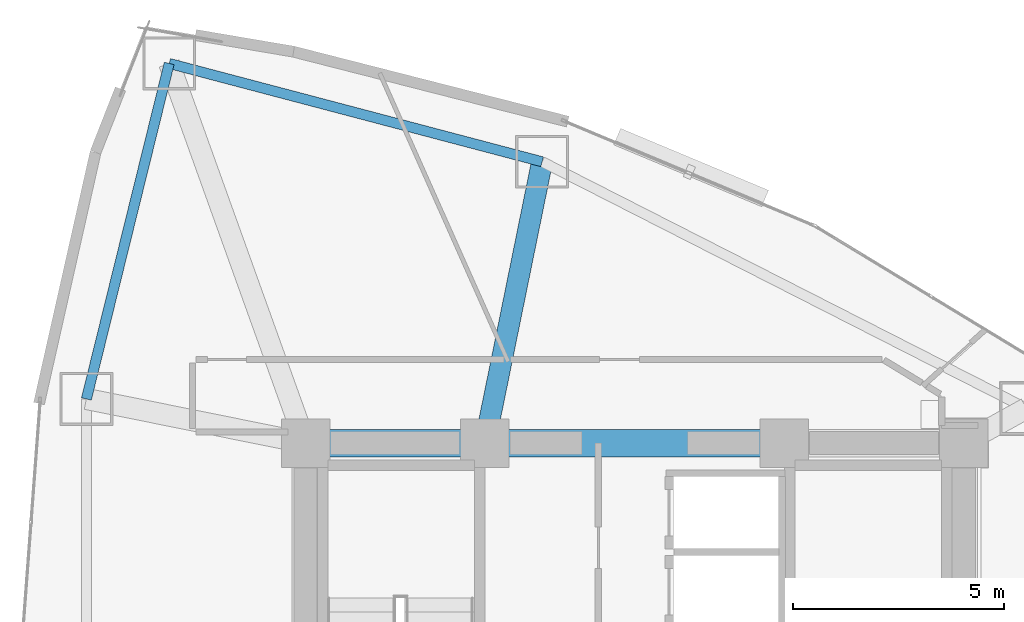
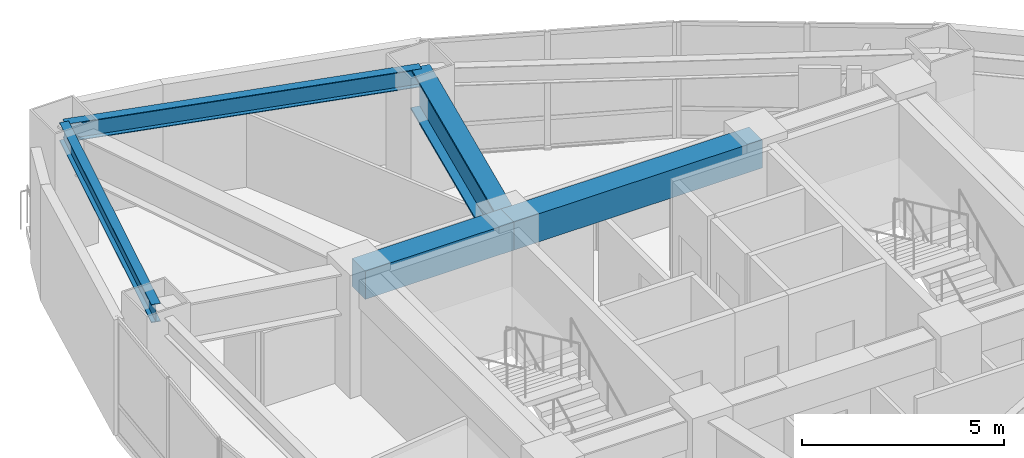
# One storey, part 8 of 17: 5 beams.
"""IFC4 building model written with IfcOpenShell, lengths in metres."""

import ifcopenshell
import ifcopenshell.guid

model = None  # the IFC model being written
_history = None  # IfcOwnerHistory: only IFC2X3 demands one
_inside = {}  # id of a spatial element -> (the spatial element, [elements in it])
_under = {}  # id of a project, library or spatial element -> (it, [spatial elements below it])
_declared = {}  # id of a project -> (the project, [libraries it declares])
_typed = {}  # id of a type object -> (the type object, [elements of that type])
_made_of = {}  # id of a material, layer set ... -> (it, [elements and type objects made of it])


def new_model(schema):
    """Start an empty IFC model of exactly this schema.

    Asked for "IFC4X3", IfcOpenShell would pick the latest addendum, in which some entities
    have other attributes; the version numbers below select the first issue.
    IFC2X3 requires an IfcOwnerHistory on every rooted entity: one is made here for all.
    """
    global model, _history
    if schema == "IFC4X3":
        model = ifcopenshell.file(schema_version=(4, 3, 0, 0))
    else:
        model = ifcopenshell.file(schema=schema)
    _inside.clear()
    _under.clear()
    _declared.clear()
    _typed.clear()
    _made_of.clear()
    _history = None
    if model.schema == "IFC2X3":
        org = make("IfcOrganization", Name="unknown")
        user = make(
            "IfcPersonAndOrganization",
            ThePerson=make("IfcPerson", FamilyName="unknown"),
            TheOrganization=org,
        )
        app = make(
            "IfcApplication",
            ApplicationDeveloper=org,
            Version="unknown",
            ApplicationFullName="unknown",
            ApplicationIdentifier="unknown",
        )
        _history = make(
            "IfcOwnerHistory",
            OwningUser=user,
            OwningApplication=app,
            ChangeAction="ADDED",
            CreationDate=0,
        )
    return model


def make(cls, **values):
    """One entity of the class cls with the attributes given. An attribute that is None is left unset."""
    return model.create_entity(
        cls, **{name: value for name, value in values.items() if value is not None}
    )


def rooted(cls, **values):
    """An entity with a GlobalId (a new one), such as an element, a storey or a relation."""
    return make(cls, GlobalId=ifcopenshell.guid.new(), OwnerHistory=_history, **values)


def si_unit(unit_type, name, prefix=None):
    """IfcSIUnit, for example si_unit("LENGTHUNIT", "METRE", prefix="MILLI")."""
    return make("IfcSIUnit", UnitType=unit_type, Prefix=prefix, Name=name)


def assignment(units):
    """IfcUnitAssignment: the units of a project."""
    return None if units is None else make("IfcUnitAssignment", Units=units)


def point(xyz):
    """IfcCartesianPoint."""
    return None if xyz is None else make("IfcCartesianPoint", Coordinates=xyz)


def direction(xyz):
    """IfcDirection."""
    return None if xyz is None else make("IfcDirection", DirectionRatios=xyz)


def frame(location, z_axis=None, x_axis=None):
    """IfcAxis2Placement3D, a coordinate frame: its origin and axes. An axis left out is left unset."""
    return make(
        "IfcAxis2Placement3D",
        Location=point(location),
        Axis=direction(z_axis),
        RefDirection=direction(x_axis),
    )


def frame_2d(location, x_axis=None):
    """IfcAxis2Placement2D, a coordinate frame in the plane: its origin and x axis."""
    return make(
        "IfcAxis2Placement2D", Location=point(location), RefDirection=direction(x_axis)
    )


def origin():
    """The frame at (0, 0, 0) with its axes left unset."""
    return frame((0.0, 0.0, 0.0))


def origin_2d():
    """The frame at (0, 0) in the plane with its x axis left unset."""
    return frame_2d((0.0, 0.0))


def place(relative_to, where):
    """IfcLocalPlacement: puts the frame where relative to a parent placement (None: the world)."""
    return make(
        "IfcLocalPlacement", PlacementRelTo=relative_to, RelativePlacement=where
    )


def context(
    kind, dimensions, precision=None, world=None, true_north=None, identifier=None
):
    """IfcGeometricRepresentationContext, for example the 3D "Model" context."""
    return make(
        "IfcGeometricRepresentationContext",
        ContextIdentifier=identifier,
        ContextType=kind,
        CoordinateSpaceDimension=dimensions,
        Precision=precision,
        WorldCoordinateSystem=world,
        TrueNorth=true_north,
    )


def subcontext(parent, identifier, kind, view, scale=None):
    """IfcGeometricRepresentationSubContext, for example "Body" below "Model"."""
    return make(
        "IfcGeometricRepresentationSubContext",
        ContextIdentifier=identifier,
        ContextType=kind,
        ParentContext=parent,
        TargetScale=scale,
        TargetView=view,
    )


def project(units=None, contexts=None):
    """IfcProject with its units and contexts."""
    return rooted(
        "IfcProject",
        Name="project",
        RepresentationContexts=contexts,
        UnitsInContext=assignment(units),
    )


def spatial(cls, under=None, at=None, **own):
    """A site, building, storey or space (cls), placed at a placement, below another one or the project."""
    s = rooted(cls, ObjectPlacement=at, **own)
    if under is not None:
        _under.setdefault(under.id(), (under, []))[1].append(s)
    return s


def profile(cls, at=None, kind="AREA", **sizes):
    """A parametric profile (cls). Its sizes go by their IFC names, for example OverallWidth=200.0."""
    return make(cls, ProfileType=kind, Position=at, **sizes)


def rectangle(**sizes):
    """IfcRectangleProfileDef."""
    return profile("IfcRectangleProfileDef", **sizes)


def i_section(**sizes):
    """IfcIShapeProfileDef."""
    return profile("IfcIShapeProfileDef", **sizes)


def extrude(swept, where, along, depth):
    """IfcExtrudedAreaSolid: the profile swept, set in the frame where, extruded along a direction by depth."""
    return make(
        "IfcExtrudedAreaSolid",
        SweptArea=swept,
        Position=where,
        ExtrudedDirection=direction(along),
        Depth=depth,
    )


def shape(context_of_items, identifier, shape_type, items):
    """IfcShapeRepresentation: the items that make up one representation, for example the "Body"."""
    return make(
        "IfcShapeRepresentation",
        ContextOfItems=context_of_items,
        RepresentationIdentifier=identifier,
        RepresentationType=shape_type,
        Items=items,
    )


def material(Name=None, Category=None):
    """IfcMaterial."""
    return make("IfcMaterial", Name=Name, Category=Category)


def material_profile(
    of_material, cross_section, Name=None, Category=None, Priority=None
):
    """IfcMaterialProfile: a cross section and its material."""
    return make(
        "IfcMaterialProfile",
        Name=Name,
        Material=of_material,
        Profile=cross_section,
        Priority=Priority,
        Category=Category,
    )


def profile_set(profiles, Name=None, composite=None):
    """IfcMaterialProfileSet."""
    return make(
        "IfcMaterialProfileSet",
        Name=Name,
        MaterialProfiles=profiles,
        CompositeProfile=composite,
    )


def made_of(thing, what):
    """Note that an element or type object is made of a material, layer set ...; save() writes the relation."""
    if what is not None:
        _made_of.setdefault(what.id(), (what, []))[1].append(thing)
    return thing


def type_object(cls, material=None, **own):
    """A type object (cls), such as IfcWallType, which elements share."""
    return made_of(rooted(cls, **own), material)


def element(
    cls,
    number,
    at=None,
    inside=None,
    cuts=None,
    type_object=None,
    material=None,
    context=None,
    identifier="Body",
    shape_type=None,
    held_by="IfcProductDefinitionShape",
    body=None,
    shapes=None,
    **own,
):
    """One element of the class cls, such as IfcWall. Its Tag is "e" and its number.

    at: its placement. inside: the storey or other place that contains it. cuts: it is an
    opening in that element (IfcRelVoidsElement). A single representation is given by context,
    identifier, shape_type and body (its items); several are given by shapes. held_by: the class
    of the entity that holds the representations. save() writes the other relations.
    """
    e = rooted(cls, Tag="e%d" % number, ObjectPlacement=at, **own)
    if body is not None:
        shapes = [shape(context, identifier, shape_type, body)]
    if shapes is not None:
        e.Representation = make(held_by, Representations=shapes)
    if inside is not None:
        _inside.setdefault(inside.id(), (inside, []))[1].append(e)
    if cuts is not None:
        rooted(
            "IfcRelVoidsElement", RelatingBuildingElement=cuts, RelatedOpeningElement=e
        )
    if type_object is not None:
        _typed.setdefault(type_object.id(), (type_object, []))[1].append(e)
    return made_of(e, material)


def aggregate(whole, parts):
    """IfcRelAggregates: a whole, such as a stair, and the parts it consists of."""
    return rooted("IfcRelAggregates", RelatingObject=whole, RelatedObjects=parts)


def save(model, path):
    """Write the relations noted so far, then the file.

    IfcRelAggregates (storeys below a building ...), IfcRelContainedInSpatialStructure (elements
    in a storey), IfcRelDefinesByType, IfcRelAssociatesMaterial and IfcRelDeclares: one each for
    every whole, place, type object, material and project.
    """
    for whole, parts in _under.values():
        aggregate(whole, parts)
    for where, things in _inside.values():
        rooted(
            "IfcRelContainedInSpatialStructure",
            RelatedElements=things,
            RelatingStructure=where,
        )
    for kind, things in _typed.values():
        rooted("IfcRelDefinesByType", RelatedObjects=things, RelatingType=kind)
    for what, things in _made_of.values():
        rooted("IfcRelAssociatesMaterial", RelatedObjects=things, RelatingMaterial=what)
    for by, libraries in _declared.values():
        rooted("IfcRelDeclares", RelatingContext=by, RelatedDefinitions=libraries)
    model.write(path)


model = new_model("IFC4")

# Units and contexts
model_context = context("Model", 3, precision=1e-05, world=origin(), true_north=direction((0.0, 1.0)))
body_context = subcontext(model_context, "Body", "Model", "MODEL_VIEW")
ifc_project = project(units=[si_unit("LENGTHUNIT", "METRE"), si_unit("AREAUNIT", "SQUARE_METRE"), si_unit("VOLUMEUNIT", "CUBIC_METRE"), si_unit("PLANEANGLEUNIT", "RADIAN"), si_unit("MASSUNIT", "GRAM", prefix="KILO")], contexts=[model_context])

# Site, building, storey
site_placement = place(None, origin())
site = spatial("IfcSite", under=ifc_project, at=site_placement, CompositionType="ELEMENT")
building_placement = place(site_placement, origin())
building = spatial("IfcBuilding", under=site, at=building_placement, Name="Menara Vayukalpa", CompositionType="ELEMENT")
storey_placement = place(building_placement, frame((0.0, 0.0, 133.739990234375)))
storey = spatial("IfcBuildingStorey", under=building, at=storey_placement, Name="L33", CompositionType="ELEMENT", Elevation=133.739990234375)

# Beams
ifc_material_1 = material(Name="Concrete C60/75", Category="concrete")
ifc_material_profile_1 = material_profile(ifc_material_1, rectangle(XDim=0.64990234375, YDim=0.85009765625, at=origin_2d()), Name="RC 650x850")
ifc_profile_set_1 = profile_set([ifc_material_profile_1], Name="Concrete C60/75")
beam_type_1 = type_object("IfcBeamType", Name="BM-CB1", PredefinedType="BEAM", material=ifc_profile_set_1)
beam_1_placement = place(storey_placement, frame((17.800048828125, 26.800048828125, 3.074951171875), z_axis=(1.0, 0.0, 0.0), x_axis=(0.0, 1.0, 0.0)))
element("IfcBeam", 1, at=beam_1_placement, inside=storey, type_object=beam_type_1, Name="L33 Core Tie Beam CBR4", PredefinedType="BEAM", context=body_context, shape_type="SweptSolid", body=[
    extrude(rectangle(XDim=0.64990234375, YDim=0.85009765625, at=origin_2d()), origin(), (0.0, 0.0, 1.0), 4.25),
])
beam_2_placement = place(storey_placement, frame((22.050048828125, 26.800048828125, 3.074951171875), z_axis=(1.0, 0.0, 0.0), x_axis=(0.0, 1.0, 0.0)))
element("IfcBeam", 2, at=beam_2_placement, inside=storey, type_object=beam_type_1, Name="L33 Core Tie Beam CBR5", PredefinedType="BEAM", context=body_context, shape_type="SweptSolid", body=[
    extrude(rectangle(XDim=0.64990234375, YDim=0.85009765625, at=origin_2d()), origin(), (0.0, 0.0, 1.0), 7.099853515625),
])
ifc_material_2 = material(Name="Steel S355", Category="steel")
ifc_material_profile_2 = material_profile(ifc_material_2, i_section(OverallWidth=0.239990234375, OverallDepth=0.550048828125, WebThickness=0.010986328125, FlangeThickness=0.01904296875, at=origin_2d()), Name="WF 550x240x11x19")
ifc_profile_set_2 = profile_set([ifc_material_profile_2], Name="Steel S355")
beam_type_2 = type_object("IfcBeamType", Name="BM-SP2", PredefinedType="SPANDREL", material=ifc_profile_set_2)
beam_3_placement = place(storey_placement, frame((23.408203125, 33.46728515625, 3.22509765625), z_axis=(-0.966966857313, 0.254902131921, 0.0), x_axis=(-0.254902131921, -0.966966857313, 0.0)))
element("IfcBeam", 3, at=beam_3_placement, inside=storey, type_object=beam_type_2, Name="L33 Perimeter Spandrel Beam SP03", PredefinedType="SPANDREL", context=body_context, shape_type="SweptSolid", body=[
    extrude(i_section(OverallWidth=0.239990234375, OverallDepth=0.550048828125, WebThickness=0.010986328125, FlangeThickness=0.01904296875, at=origin_2d()), origin(), (0.0, 0.0, 1.0), 9.14111328125),
])
beam_4_placement = place(storey_placement, frame((14.569091796875, 35.79736328125, 3.22509765625), z_axis=(-0.239602739234, -0.970871014786, 0.0), x_axis=(0.970871014786, -0.239602739234, 0.0)))
element("IfcBeam", 4, at=beam_4_placement, inside=storey, type_object=beam_type_2, Name="L33 Perimeter Spandrel Beam SP04", PredefinedType="SPANDREL", context=body_context, shape_type="SweptSolid", body=[
    extrude(i_section(OverallWidth=0.239990234375, OverallDepth=0.550048828125, WebThickness=0.010986328125, FlangeThickness=0.01904296875, at=origin_2d()), origin(), (0.0, 0.0, 1.0), 8.190185546875),
])
ifc_material_3 = material(Name="Steel S460", Category="steel")
ifc_material_profile_3 = material_profile(ifc_material_3, i_section(OverallWidth=0.5, OverallDepth=1.25, WebThickness=0.028076171875, FlangeThickness=0.054931640625, at=origin_2d()), Name="WG 1250x500x28x55")
ifc_profile_set_3 = profile_set([ifc_material_profile_3], Name="Steel S460")
beam_type_3 = type_object("IfcBeamType", Name="BM-TG2", PredefinedType="BEAM", material=ifc_profile_set_3)
beam_5_placement = place(storey_placement, frame((22.099853515625, 27.044921875, 2.875), z_axis=(0.199617728418, 0.9798738503, 0.0), x_axis=(-0.9798738503, 0.199617728418, 0.0)))
element("IfcBeam", 5, at=beam_5_placement, inside=storey, type_object=beam_type_3, Name="L33 Primary Radial Girder RG03", PredefinedType="BEAM", context=body_context, shape_type="SweptSolid", body=[
    extrude(i_section(OverallWidth=0.5, OverallDepth=1.25, WebThickness=0.028076171875, FlangeThickness=0.054931640625, at=origin_2d()), origin(), (0.0, 0.0, 1.0), 6.55419921875),
])

save(model, "model.ifc")
